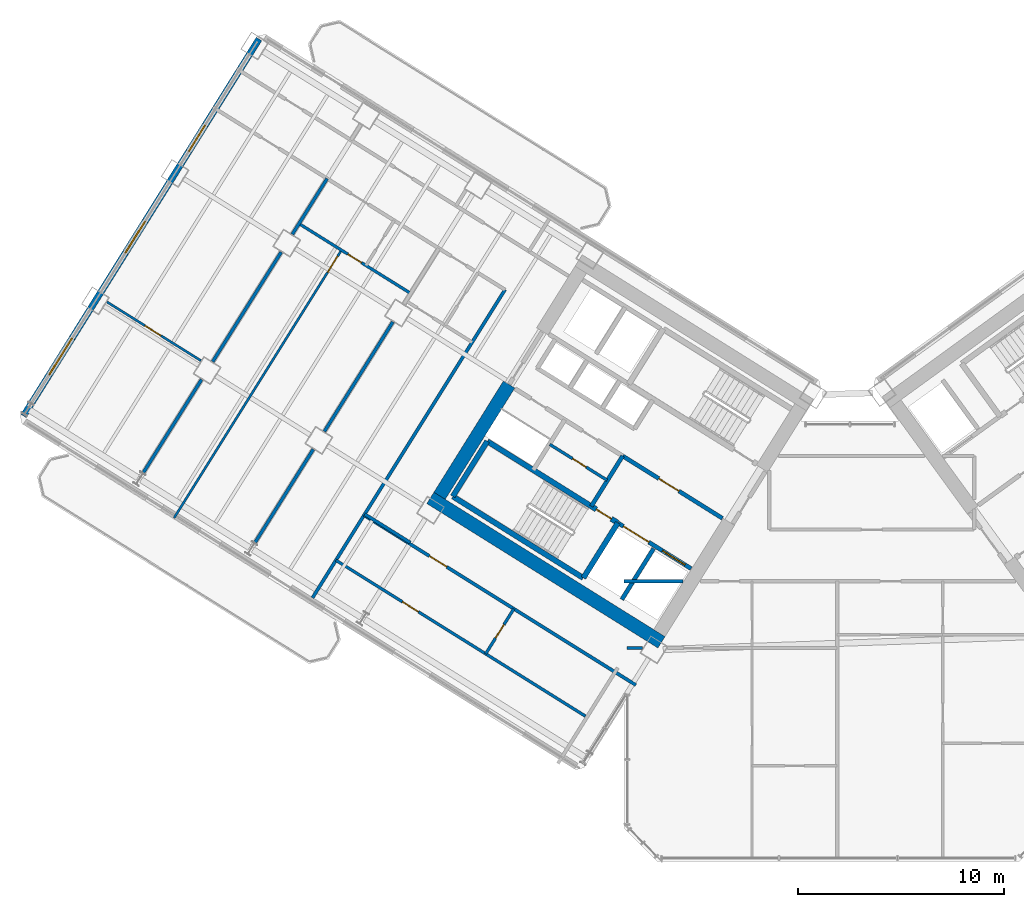
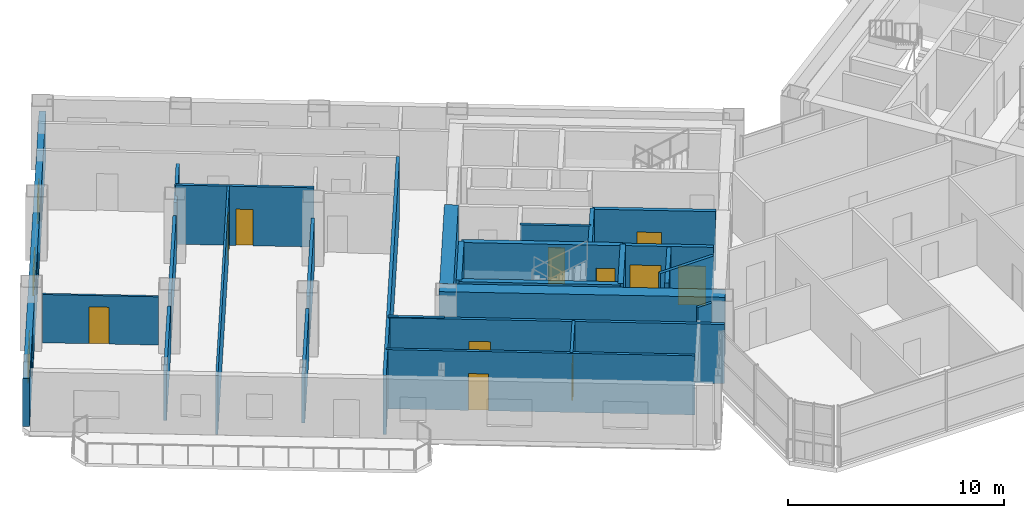
# One storey, part 15 of 28: 27 walls, 11 doors, 3 windows, 14 openings.
"""IFC4 building model written with IfcOpenShell, lengths in metres."""

from ifc_helpers import new_model, si_unit, direction, frame, frame_2d, origin, place, context, subcontext, project, spatial, rectangle, extrude, source, transform, mapped, material, layer, layer_set, type_object, element, fill, save


model = new_model("IFC4")

# Units and contexts
model_context = context("Model", 3, precision=1e-05, world=origin(), true_north=direction((0.0, 1.0)))
body_context = subcontext(model_context, "Body", "Model", "MODEL_VIEW")
ifc_project = project(units=[si_unit("LENGTHUNIT", "METRE"), si_unit("AREAUNIT", "SQUARE_METRE"), si_unit("VOLUMEUNIT", "CUBIC_METRE"), si_unit("PLANEANGLEUNIT", "RADIAN"), si_unit("MASSUNIT", "GRAM", prefix="KILO")], contexts=[model_context])

# Site, building, storey
site_placement = place(None, origin())
site = spatial("IfcSite", under=ifc_project, at=site_placement, CompositionType="ELEMENT")
building_placement = place(site_placement, origin())
building = spatial("IfcBuilding", under=site, at=building_placement, Name="Tlacorven Tower", CompositionType="ELEMENT")
storey_placement = place(building_placement, frame((0.0, 0.0, 42.0)))
storey = spatial("IfcBuildingStorey", under=building, at=storey_placement, Name="L10", CompositionType="ELEMENT", Elevation=42.0)

# Walls
ifc_material_1 = material(Name="Concrete C60/75", Category="concrete")
ifc_layer_1 = layer(ifc_material_1, 0.64990234375)
ifc_layer_set_1 = layer_set([ifc_layer_1], Name="Concrete C60/75")
wall_type_1 = type_object("IfcWallType", Name="WL-COR-650", PredefinedType="SHEAR", material=ifc_layer_set_1)
wall_1_placement = place(storey_placement, frame((33.40869140625, 12.449951171875, 0.0), z_axis=(0.0, 0.0, 1.0), x_axis=(-0.848051132073, 0.529914405721, 0.0)))
element("IfcWall", 1, at=wall_1_placement, inside=storey, type_object=wall_type_1, Name="L10 W core shear wall S2", PredefinedType="SHEAR", context=body_context, shape_type="SweptSolid", body=[
    extrude(rectangle(XDim=13.239990234375, YDim=0.64990234375, at=frame_2d((6.6201171875, 0.0))), origin(), (0.0, 0.0, 1.0), 3.35009765625),
])
wall_2_placement = place(storey_placement, frame((26.006591796875, 24.975830078125, 0.0), z_axis=(0.0, 0.0, 1.0), x_axis=(-0.529916319127, -0.848049936456, 0.0)))
element("IfcWall", 2, at=wall_2_placement, inside=storey, type_object=wall_type_1, Name="L10 W core end wall E2.2", PredefinedType="SHEAR", context=body_context, shape_type="SweptSolid", body=[
    extrude(rectangle(XDim=6.375, YDim=0.64990234375, at=frame_2d((3.1875, 0.0))), origin(), (0.0, 0.0, 1.0), 3.35009765625),
])
ifc_material_2 = material(Name="Gypsum plasterboard acoustic partition", Category="gypsum")
ifc_layer_2 = layer(ifc_material_2, 0.159912109375)
ifc_layer_set_2 = layer_set([ifc_layer_2], Name="Gypsum plasterboard acoustic partition")
wall_type_2 = type_object("IfcWallType", Name="WL-DEM-160", PredefinedType="PARTITIONING", material=ifc_layer_set_2)
wall_3_placement = place(storey_placement, frame((21.20556640625, 17.29248046875, 0.0), z_axis=(0.0, 0.0, 1.0), x_axis=(-0.848050851465, 0.529914854792, 0.0)))
element("IfcWall", 3, at=wall_3_placement, inside=storey, type_object=wall_type_2, Name="L10 partition 51", PredefinedType="PARTITIONING", context=body_context, shape_type="SweptSolid", body=[
    extrude(rectangle(XDim=2.60986328125, YDim=0.159912109375, at=frame_2d((1.304931640625, 0.0))), origin(), (0.0, 0.0, 1.0), 3.340087890625),
])
wall_4_placement = place(storey_placement, frame((25.806884765625, 29.58154296875, 0.0), z_axis=(0.0, 0.0, 1.0), x_axis=(-0.529918119251, -0.84804881162, 0.0)))
element("IfcWall", 4, at=wall_4_placement, inside=storey, type_object=wall_type_2, Name="L10 partition 53", PredefinedType="PARTITIONING", context=body_context, shape_type="SweptSolid", body=[
    extrude(rectangle(XDim=17.64990234375, YDim=0.159912109375, at=frame_2d((8.824951171875, 0.0))), origin(), (0.0, 0.0, 1.0), 3.340087890625),
])
wall_5_placement = place(storey_placement, frame((20.360595703125, 28.017822265625, 0.0), z_axis=(0.0, 0.0, 1.0), x_axis=(-0.529915015264, -0.848050751193, 0.0)))
element("IfcWall", 5, at=wall_5_placement, inside=storey, type_object=wall_type_2, Name="L10 WN Demising Wall 1", PredefinedType="PARTITIONING", context=body_context, shape_type="SweptSolid", body=[
    extrude(rectangle(XDim=6.27587890625, YDim=0.159912109375, at=frame_2d((3.137939453125, 0.0))), origin(), (0.0, 0.0, 1.0), 2.72509765625),
])
wall_6_placement = place(storey_placement, frame((16.4921875, 21.8271484375, 0.0), z_axis=(0.0, 0.0, 1.0), x_axis=(-0.529904608059, -0.848057254175, 0.0)))
element("IfcWall", 6, at=wall_6_placement, inside=storey, type_object=wall_type_2, Name="L10 WN Demising Wall 1", PredefinedType="PARTITIONING", context=body_context, shape_type="SweptSolid", body=[
    extrude(rectangle(XDim=5.350830078125, YDim=0.159912109375, at=frame_2d((2.67529296875, 0.0))), origin(), (0.0, 0.0, 1.0), 2.72509765625),
])
wall_7_placement = place(storey_placement, frame((17.165283203125, 34.9814453125, 0.0), z_axis=(0.0, 0.0, 1.0), x_axis=(-0.529930102756, -0.848041323399, 0.0)))
element("IfcWall", 7, at=wall_7_placement, inside=storey, type_object=wall_type_2, Name="L10 WN Demising Wall 2", PredefinedType="PARTITIONING", context=body_context, shape_type="SweptSolid", body=[
    extrude(rectangle(XDim=3.18798828125, YDim=0.159912109375, at=frame_2d((1.593994140625, 0.0))), origin(), (0.0, 0.0, 1.0), 2.72509765625),
])
wall_8_placement = place(storey_placement, frame((14.93310546875, 31.409423828125, 0.0), z_axis=(0.0, 0.0, 1.0), x_axis=(-0.529897533635, -0.848061674554, 0.0)))
element("IfcWall", 8, at=wall_8_placement, inside=storey, type_object=wall_type_2, Name="L10 WN Demising Wall 2", PredefinedType="PARTITIONING", context=body_context, shape_type="SweptSolid", body=[
    extrude(rectangle(XDim=6.276123046875, YDim=0.159912109375, at=frame_2d((3.13818359375, 0.0))), origin(), (0.0, 0.0, 1.0), 2.72509765625),
])
wall_9_placement = place(storey_placement, frame((11.064697265625, 25.218505859375, 0.0), z_axis=(0.0, 0.0, 1.0), x_axis=(-0.529904608059, -0.848057254175, 0.0)))
element("IfcWall", 9, at=wall_9_placement, inside=storey, type_object=wall_type_2, Name="L10 WN Demising Wall 2", PredefinedType="PARTITIONING", context=body_context, shape_type="SweptSolid", body=[
    extrude(rectangle(XDim=5.350830078125, YDim=0.159912109375, at=frame_2d((2.67529296875, 0.0))), origin(), (0.0, 0.0, 1.0), 2.72509765625),
])

# Wall, opening, door
wall_10_placement = place(storey_placement, frame((32.164306640625, 10.373779296875, 0.0), z_axis=(0.0, 0.0, 1.0), x_axis=(-0.848044107957, 0.529925646633, 0.0)))
wall_10 = element("IfcWall", 10, at=wall_10_placement, inside=storey, type_object=wall_type_2, Name="L10 partition 66", PredefinedType="PARTITIONING", context=body_context, shape_type="SweptSolid", body=[
    extrude(rectangle(XDim=15.570068359375, YDim=0.159912109375, at=frame_2d((7.78515625, 0.0))), origin(), (0.0, 0.0, 1.0), 3.340087890625),
])
opening_1_placement = place(wall_10_placement, frame((10.830078125, 0.0, 0.0)))
opening_1 = element("IfcOpeningElement", 11, at=opening_1_placement, cuts=wall_10, Name="Opening D11", PredefinedType="OPENING", context=body_context, shape_type="SweptSolid", body=[
    extrude(rectangle(XDim=1.0, YDim=2.10009765625, at=frame_2d((0.5, 1.050048828125))), frame((0.0, 0.08984375, 0.0), z_axis=(0.0, -1.0, 0.0), x_axis=(1.0, 0.0, 0.0)), (0.0, 0.0, 1.0), 0.179931640625),
])
ifc_material_3 = material(Name="Fire-rated steel door assembly", Category="steel")
door_type_1 = type_object("IfcDoorType", Name="DR-FLT-FD60-1000", OperationType="NOTDEFINED", PredefinedType="DOOR", material=ifc_material_3)
shared_shape_1 = source(origin(), body_context, "Body", "SweptSolid", [
    extrude(rectangle(XDim=1.0, YDim=2.10009765625, at=frame_2d((0.5, 1.050048828125))), frame((0.0, 0.02490234375, 0.0), z_axis=(0.0, -1.0, 0.0), x_axis=(1.0, 0.0, 0.0)), (0.0, 0.0, 1.0), 0.050048828125),
])
door_1_placement = place(opening_1_placement, origin())
door_1 = element("IfcDoor", 12, at=door_1_placement, inside=storey, type_object=door_type_1, Name="L10 door 035", OperationType="SINGLE_SWING_LEFT", OverallHeight=2.10009765625, OverallWidth=1.0, PredefinedType="DOOR", context=body_context, shape_type="MappedRepresentation", body=[
    mapped(shared_shape_1, transform((0.0, 0.0, 0.0), scale=1.0)),
])
fill(opening_1, door_1)

# Wall
wall_11_placement = place(storey_placement, frame((31.60009765625, 15.419921875, 0.0), z_axis=(0.0, 0.0, 1.0), x_axis=(1.0, 0.0, 0.0)))
element("IfcWall", 13, at=wall_11_placement, inside=storey, type_object=wall_type_2, Name="L10 Knuckle Corridor South Wall", PredefinedType="PARTITIONING", context=body_context, shape_type="SweptSolid", body=[
    extrude(rectangle(XDim=2.8662109375, YDim=0.159912109375, at=frame_2d((1.43310546875, 0.0))), origin(), (0.0, 0.0, 1.0), 3.340087890625),
])

# Wall, openings, windows
ifc_material_4 = material(Name="Precast concrete C45/55", Category="concrete")
ifc_layer_3 = layer(ifc_material_4, 0.320068359375)
ifc_layer_set_3 = layer_set([ifc_layer_3], Name="Precast concrete C45/55")
wall_type_3 = type_object("IfcWallType", Name="WL-EXT-320", PredefinedType="STANDARD", material=ifc_layer_set_3)
wall_12_placement = place(storey_placement, frame((2.41455078125, 23.452392578125, 0.0), z_axis=(0.0, 0.0, 1.0), x_axis=(0.52991049553, 0.848053575387, 0.0)))
wall_12 = element("IfcWall", 14, at=wall_12_placement, inside=storey, type_object=wall_type_3, Name="L10 Masonry-Frame Recessed Facade Wall 2", PredefinedType="STANDARD", context=body_context, shape_type="SweptSolid", body=[
    extrude(rectangle(XDim=21.58740234375, YDim=0.320068359375, at=frame_2d((10.793701171875, 0.0))), origin(), (0.0, 0.0, 1.0), 2.72509765625),
])
opening_2_placement = place(wall_12_placement, frame((2.356201171875, 0.0, 0.800048828125)))
opening_2 = element("IfcOpeningElement", 15, at=opening_2_placement, cuts=wall_12, Name="Opening WN04", PredefinedType="OPENING", context=body_context, shape_type="SweptSolid", body=[
    extrude(rectangle(XDim=2.10009765625, YDim=1.550048828125, at=frame_2d((1.050048828125, 0.77490234375))), frame((0.0, 0.169921875, 0.0), z_axis=(0.0, -1.0, 0.0), x_axis=(1.0, 0.0, 0.0)), (0.0, 0.0, 1.0), 0.340087890625),
])
opening_3_placement = place(wall_12_placement, frame((9.34375, 0.0, 0.85009765625)))
opening_3 = element("IfcOpeningElement", 16, at=opening_3_placement, cuts=wall_12, Name="Opening WN01", PredefinedType="OPENING", context=body_context, shape_type="SweptSolid", body=[
    extrude(rectangle(XDim=1.800048828125, YDim=1.5, at=frame_2d((0.89990234375, 0.75))), frame((0.0, 0.169921875, 0.0), z_axis=(0.0, -1.0, 0.0), x_axis=(1.0, 0.0, 0.0)), (0.0, 0.0, 1.0), 0.340087890625),
])
opening_4_placement = place(wall_12_placement, frame((15.15380859375, 0.0, 0.85009765625)))
opening_4 = element("IfcOpeningElement", 17, at=opening_4_placement, cuts=wall_12, Name="Opening WN02", PredefinedType="OPENING", context=body_context, shape_type="SweptSolid", body=[
    extrude(rectangle(XDim=1.5, YDim=1.5, at=frame_2d((0.75, 0.75))), frame((0.0, 0.169921875, 0.0), z_axis=(0.0, -1.0, 0.0), x_axis=(1.0, 0.0, 0.0)), (0.0, 0.0, 1.0), 0.340087890625),
])
ifc_material_5 = material(Name="Dark solar low-E double glazing in anodised aluminium frame", Category="aluminium")
window_type_1 = type_object("IfcWindowType", Name="WN-APT-2100X1750", PartitioningType="SINGLE_PANEL", PredefinedType="WINDOW", material=ifc_material_5)
shared_shape_2 = source(origin(), body_context, "Body", "SweptSolid", [
    extrude(rectangle(XDim=2.10009765625, YDim=1.550048828125, at=frame_2d((1.050048828125, 0.77490234375))), frame((0.0, 0.030029296875, 0.0), z_axis=(0.0, -1.0, 0.0), x_axis=(1.0, 0.0, 0.0)), (0.0, 0.0, 1.0), 0.06005859375),
])
window_1_placement = place(opening_2_placement, origin())
window_1 = element("IfcWindow", 18, at=window_1_placement, inside=storey, type_object=window_type_1, Name="L10 Recessed Masonry-Frame Window L10-02.1", OverallHeight=1.550048828125, OverallWidth=2.10009765625, PartitioningType="SINGLE_PANEL", PredefinedType="WINDOW", context=body_context, shape_type="MappedRepresentation", body=[
    mapped(shared_shape_2, transform((0.0, 0.0, 0.0), scale=1.0)),
])
fill(opening_2, window_1)
window_type_2 = type_object("IfcWindowType", Name="WN-APT-1800X1650", PartitioningType="SINGLE_PANEL", PredefinedType="WINDOW", material=ifc_material_5)
shared_shape_3 = source(origin(), body_context, "Body", "SweptSolid", [
    extrude(rectangle(XDim=1.800048828125, YDim=1.5, at=frame_2d((0.89990234375, 0.75))), frame((0.0, 0.030029296875, 0.0), z_axis=(0.0, -1.0, 0.0), x_axis=(1.0, 0.0, 0.0)), (0.0, 0.0, 1.0), 0.06005859375),
])
window_2_placement = place(opening_3_placement, origin())
window_2 = element("IfcWindow", 19, at=window_2_placement, inside=storey, type_object=window_type_2, Name="L10 Recessed Masonry-Frame Window L10-02.2", OverallHeight=1.5, OverallWidth=1.800048828125, PartitioningType="SINGLE_PANEL", PredefinedType="WINDOW", context=body_context, shape_type="MappedRepresentation", body=[
    mapped(shared_shape_3, transform((0.0, 0.0, 0.0), scale=1.0)),
])
fill(opening_3, window_2)
window_type_3 = type_object("IfcWindowType", Name="WN-APT-1500X1650", PartitioningType="SINGLE_PANEL", PredefinedType="WINDOW", material=ifc_material_5)
shared_shape_4 = source(origin(), body_context, "Body", "SweptSolid", [
    extrude(rectangle(XDim=1.5, YDim=1.5, at=frame_2d((0.75, 0.75))), frame((0.0, 0.030029296875, 0.0), z_axis=(0.0, -1.0, 0.0), x_axis=(1.0, 0.0, 0.0)), (0.0, 0.0, 1.0), 0.06005859375),
])
window_3_placement = place(opening_4_placement, origin())
window_3 = element("IfcWindow", 20, at=window_3_placement, inside=storey, type_object=window_type_3, Name="L10 Recessed Masonry-Frame Window L10-02.3", OverallHeight=1.5, OverallWidth=1.5, PartitioningType="SINGLE_PANEL", PredefinedType="WINDOW", context=body_context, shape_type="MappedRepresentation", body=[
    mapped(shared_shape_4, transform((0.0, 0.0, 0.0), scale=1.0)),
])
fill(opening_4, window_3)

# Wall, opening, door
ifc_material_6 = material(Name="Gypsum plasterboard partition", Category="gypsum")
ifc_layer_4 = layer(ifc_material_6, 0.110107421875)
ifc_layer_set_4 = layer_set([ifc_layer_4], Name="Gypsum plasterboard partition")
wall_type_4 = type_object("IfcWallType", Name="WL-INT-110", PredefinedType="PARTITIONING", material=ifc_layer_set_4)
wall_13_placement = place(storey_placement, frame((17.860595703125, 31.504638671875, 0.0), z_axis=(0.0, 0.0, 1.0), x_axis=(-0.529928839727, -0.848042112649, 0.0)))
wall_13 = element("IfcWall", 21, at=wall_13_placement, inside=storey, type_object=wall_type_4, Name="L10 partition 62", PredefinedType="PARTITIONING", context=body_context, shape_type="SweptSolid", body=[
    extrude(rectangle(XDim=15.340087890625, YDim=0.110107421875, at=frame_2d((7.669921875, 0.0))), origin(), (0.0, 0.0, 1.0), 3.340087890625),
])
opening_5_placement = place(wall_13_placement, frame((0.35009765625, 0.0, 0.0)))
opening_5 = element("IfcOpeningElement", 22, at=opening_5_placement, cuts=wall_13, Name="Opening D12", PredefinedType="OPENING", context=body_context, shape_type="SweptSolid", body=[
    extrude(rectangle(XDim=0.919921875, YDim=2.080078125, at=frame_2d((0.4599609375, 1.0400390625))), frame((0.0, 0.06494140625, 0.0), z_axis=(0.0, -1.0, 0.0), x_axis=(1.0, 0.0, 0.0)), (0.0, 0.0, 1.0), 0.130126953125),
])
ifc_material_7 = material(Name="Powder-coated aluminium and timber door", Category="wood")
door_type_2 = type_object("IfcDoorType", Name="DR-INT-ROOM-0920", OperationType="NOTDEFINED", PredefinedType="DOOR", material=ifc_material_7)
shared_shape_5 = source(origin(), body_context, "Body", "SweptSolid", [
    extrude(rectangle(XDim=0.919921875, YDim=2.080078125, at=frame_2d((0.4599609375, 1.0400390625))), frame((0.0, 0.02490234375, 0.0), z_axis=(0.0, -1.0, 0.0), x_axis=(1.0, 0.0, 0.0)), (0.0, 0.0, 1.0), 0.050048828125),
])
door_2_placement = place(opening_5_placement, origin())
door_2 = element("IfcDoor", 23, at=door_2_placement, inside=storey, type_object=door_type_2, Name="L10 door 026", OperationType="SINGLE_SWING_RIGHT", OverallHeight=2.080078125, OverallWidth=0.919921875, PredefinedType="DOOR", context=body_context, shape_type="MappedRepresentation", body=[
    mapped(shared_shape_5, transform((0.0, 0.0, 0.0), scale=1.0)),
])
fill(opening_5, door_2)

wall_14_placement = place(storey_placement, frame((11.033203125, 26.134521484375, 0.0), z_axis=(0.0, 0.0, 1.0), x_axis=(-0.848044224181, 0.529925460639, 0.0)))
wall_14 = element("IfcWall", 24, at=wall_14_placement, inside=storey, type_object=wall_type_4, Name="L10 partition 63", PredefinedType="PARTITIONING", context=body_context, shape_type="SweptSolid", body=[
    extrude(rectangle(XDim=5.3759765625, YDim=0.110107421875, at=frame_2d((2.68798828125, 0.0))), origin(), (0.0, 0.0, 1.0), 2.72509765625),
])
opening_6_placement = place(wall_14_placement, frame((2.2880859375, 0.0, 0.0)))
opening_6 = element("IfcOpeningElement", 25, at=opening_6_placement, cuts=wall_14, Name="Opening D12", PredefinedType="OPENING", context=body_context, shape_type="SweptSolid", body=[
    extrude(rectangle(XDim=0.919921875, YDim=2.080078125, at=frame_2d((0.4599609375, 1.0400390625))), frame((0.0, 0.06494140625, 0.0), z_axis=(0.0, -1.0, 0.0), x_axis=(1.0, 0.0, 0.0)), (0.0, 0.0, 1.0), 0.130126953125),
])
door_3_placement = place(opening_6_placement, origin())
door_3 = element("IfcDoor", 26, at=door_3_placement, inside=storey, type_object=door_type_2, Name="L10 door 031", OperationType="SINGLE_SWING_LEFT", OverallHeight=2.080078125, OverallWidth=0.919921875, PredefinedType="DOOR", context=body_context, shape_type="MappedRepresentation", body=[
    mapped(shared_shape_5, transform((0.0, 0.0, 0.0), scale=1.0)),
])
fill(opening_6, door_3)

ifc_material_8 = material(Name="Moisture-resistant gypsum plumbing wall", Category="gypsum")
ifc_layer_5 = layer(ifc_material_8, 0.139892578125)
ifc_layer_set_5 = layer_set([ifc_layer_5], Name="Moisture-resistant gypsum plumbing wall")
wall_type_5 = type_object("IfcWallType", Name="WL-PLM-140", PredefinedType="PLUMBINGWALL", material=ifc_layer_set_5)
wall_15_placement = place(storey_placement, frame((30.766357421875, 20.3271484375, 0.0), z_axis=(0.0, 0.0, 1.0), x_axis=(-0.848052663127, 0.529911955482, 0.0)))
wall_15 = element("IfcWall", 27, at=wall_15_placement, inside=storey, type_object=wall_type_5, Name="L10 partition 23", PredefinedType="PLUMBINGWALL", context=body_context, shape_type="SweptSolid", body=[
    extrude(rectangle(XDim=3.27978515625, YDim=0.139892578125, at=frame_2d((1.639892578125, 0.0))), origin(), (0.0, 0.0, 1.0), 3.340087890625),
])
opening_7_placement = place(wall_15_placement, frame((1.199951171875, 0.0, 0.0)))
opening_7 = element("IfcOpeningElement", 28, at=opening_7_placement, cuts=wall_15, Name="Opening D22", PredefinedType="OPENING", context=body_context, shape_type="SweptSolid", body=[
    extrude(rectangle(XDim=0.780029296875, YDim=2.050048828125, at=frame_2d((0.39013671875, 1.02490234375))), frame((0.0, 0.080078125, 0.0), z_axis=(0.0, -1.0, 0.0), x_axis=(1.0, 0.0, 0.0)), (0.0, 0.0, 1.0), 0.159912109375),
])
door_type_3 = type_object("IfcDoorType", Name="DR-INT-WET-0780", OperationType="NOTDEFINED", PredefinedType="DOOR", material=ifc_material_7)
shared_shape_6 = source(origin(), body_context, "Body", "SweptSolid", [
    extrude(rectangle(XDim=0.780029296875, YDim=2.050048828125, at=frame_2d((0.39013671875, 1.02490234375))), frame((0.0, 0.02490234375, 0.0), z_axis=(0.0, -1.0, 0.0), x_axis=(1.0, 0.0, 0.0)), (0.0, 0.0, 1.0), 0.050048828125),
])
door_4_placement = place(opening_7_placement, origin())
door_4 = element("IfcDoor", 29, at=door_4_placement, inside=storey, type_object=door_type_3, Name="L10 door 008", OperationType="SINGLE_SWING_LEFT", OverallHeight=2.050048828125, OverallWidth=0.780029296875, PredefinedType="DOOR", context=body_context, shape_type="MappedRepresentation", body=[
    mapped(shared_shape_6, transform((0.0, 0.0, 0.0), scale=1.0)),
])
fill(opening_7, door_4)

wall_16_placement = place(storey_placement, frame((21.2255859375, 29.40185546875, 0.0), z_axis=(0.0, 0.0, 1.0), x_axis=(-0.848039019877, 0.529933789039, 0.0)))
wall_16 = element("IfcWall", 30, at=wall_16_placement, inside=storey, type_object=wall_type_5, Name="L10 partition 60", PredefinedType="PLUMBINGWALL", context=body_context, shape_type="SweptSolid", body=[
    extrude(rectangle(XDim=6.400146484375, YDim=0.139892578125, at=frame_2d((3.2001953125, 0.0))), origin(), (0.0, 0.0, 1.0), 3.340087890625),
])
opening_8_placement = place(wall_16_placement, frame((2.823974609375, 0.0, 0.0)))
opening_8 = element("IfcOpeningElement", 31, at=opening_8_placement, cuts=wall_16, Name="Opening D22", PredefinedType="OPENING", context=body_context, shape_type="SweptSolid", body=[
    extrude(rectangle(XDim=0.780029296875, YDim=2.050048828125, at=frame_2d((0.39013671875, 1.02490234375))), frame((0.0, 0.080078125, 0.0), z_axis=(0.0, -1.0, 0.0), x_axis=(1.0, 0.0, 0.0)), (0.0, 0.0, 1.0), 0.159912109375),
])
door_5_placement = place(opening_8_placement, origin())
door_5 = element("IfcDoor", 32, at=door_5_placement, inside=storey, type_object=door_type_3, Name="L10 door 028", OperationType="SINGLE_SWING_RIGHT", OverallHeight=2.050048828125, OverallWidth=0.780029296875, PredefinedType="DOOR", context=body_context, shape_type="MappedRepresentation", body=[
    mapped(shared_shape_6, transform((0.0, 0.0, 0.0), scale=1.0)),
])
fill(opening_8, door_5)

wall_17_placement = place(storey_placement, frame((29.72021484375, 8.85888671875, 0.0), z_axis=(0.0, 0.0, 1.0), x_axis=(-0.848049134363, 0.529917602752, 0.0)))
wall_17 = element("IfcWall", 33, at=wall_17_placement, inside=storey, type_object=wall_type_5, Name="L10 partition 68", PredefinedType="PLUMBINGWALL", context=body_context, shape_type="SweptSolid", body=[
    extrude(rectangle(XDim=14.300048828125, YDim=0.139892578125, at=frame_2d((7.14990234375, 0.0))), origin(), (0.0, 0.0, 1.0), 3.340087890625),
])
opening_9_placement = place(wall_17_placement, frame((9.570068359375, 0.0, 0.0)))
opening_9 = element("IfcOpeningElement", 34, at=opening_9_placement, cuts=wall_17, Name="Opening D12", PredefinedType="OPENING", context=body_context, shape_type="SweptSolid", body=[
    extrude(rectangle(XDim=0.919921875, YDim=2.080078125, at=frame_2d((0.4599609375, 1.0400390625))), frame((0.0, 0.080078125, 0.0), z_axis=(0.0, -1.0, 0.0), x_axis=(1.0, 0.0, 0.0)), (0.0, 0.0, 1.0), 0.159912109375),
])
door_6_placement = place(opening_9_placement, origin())
door_6 = element("IfcDoor", 35, at=door_6_placement, inside=storey, type_object=door_type_2, Name="L10 door 036", OperationType="SINGLE_SWING_RIGHT", OverallHeight=2.080078125, OverallWidth=0.919921875, PredefinedType="DOOR", context=body_context, shape_type="MappedRepresentation", body=[
    mapped(shared_shape_5, transform((0.0, 0.0, 0.0), scale=1.0)),
])
fill(opening_9, door_6)

wall_18_placement = place(storey_placement, frame((26.236572265625, 14.077880859375, 0.0), z_axis=(0.0, 0.0, 1.0), x_axis=(-0.52995640672, -0.848024885824, 0.0)))
wall_18 = element("IfcWall", 36, at=wall_18_placement, inside=storey, type_object=wall_type_5, Name="L10 partition 69", PredefinedType="PLUMBINGWALL", context=body_context, shape_type="SweptSolid", body=[
    extrude(rectangle(XDim=2.579833984375, YDim=0.139892578125, at=frame_2d((1.2900390625, 0.0))), origin(), (0.0, 0.0, 1.0), 3.340087890625),
])
opening_10_placement = place(wall_18_placement, frame((0.89990234375, 0.0, 0.0)))
opening_10 = element("IfcOpeningElement", 37, at=opening_10_placement, cuts=wall_18, Name="Opening D22", PredefinedType="OPENING", context=body_context, shape_type="SweptSolid", body=[
    extrude(rectangle(XDim=0.780029296875, YDim=2.050048828125, at=frame_2d((0.39013671875, 1.02490234375))), frame((0.0, 0.080078125, 0.0), z_axis=(0.0, -1.0, 0.0), x_axis=(1.0, 0.0, 0.0)), (0.0, 0.0, 1.0), 0.159912109375),
])
door_7_placement = place(opening_10_placement, origin())
door_7 = element("IfcDoor", 38, at=door_7_placement, inside=storey, type_object=door_type_3, Name="L10 door 037", OperationType="SINGLE_SWING_LEFT", OverallHeight=2.050048828125, OverallWidth=0.780029296875, PredefinedType="DOOR", context=body_context, shape_type="MappedRepresentation", body=[
    mapped(shared_shape_6, transform((0.0, 0.0, 0.0), scale=1.0)),
])
fill(opening_10, door_7)

# Wall
wall_19_placement = place(storey_placement, frame((31.739990234375, 12.169921875, 0.0), z_axis=(0.0, 0.0, 1.0), x_axis=(1.0, 0.0, 0.0)))
element("IfcWall", 39, at=wall_19_placement, inside=storey, type_object=wall_type_5, Name="L10 partition 79", PredefinedType="PLUMBINGWALL", context=body_context, shape_type="SweptSolid", body=[
    extrude(rectangle(XDim=0.75439453125, YDim=0.139892578125, at=frame_2d((0.377197265625, 0.0))), origin(), (0.0, 0.0, 1.0), 3.340087890625),
])

# Wall, openings, doors
ifc_material_9 = material(Name="Concrete C40/50", Category="concrete")
ifc_layer_6 = layer(ifc_material_9, 0.199951171875)
ifc_layer_set_6 = layer_set([ifc_layer_6], Name="Concrete C40/50")
wall_type_6 = type_object("IfcWallType", Name="WL-SHF-200", PredefinedType="STANDARD", material=ifc_layer_set_6)
wall_20_placement = place(storey_placement, frame((34.84814453125, 16.03125, 0.0), z_axis=(0.0, 0.0, 1.0), x_axis=(-0.848044042236, 0.529925751807, 0.0)))
wall_20 = element("IfcWall", 40, at=wall_20_placement, inside=storey, type_object=wall_type_6, Name="L10 Core W Firefighting Lift Shaft Front Wall", PredefinedType="STANDARD", context=body_context, shape_type="SweptSolid", body=[
    extrude(rectangle(XDim=4.197998046875, YDim=0.199951171875, at=frame_2d((2.09912109375, 0.0))), origin(), (0.0, 0.0, 1.0), 3.340087890625),
])
opening_11_placement = place(wall_20_placement, frame((0.347900390625, 0.0, 0.0)))
opening_11 = element("IfcOpeningElement", 41, at=opening_11_placement, cuts=wall_20, Name="Opening LD03", PredefinedType="OPENING", context=body_context, shape_type="SweptSolid", body=[
    extrude(rectangle(XDim=1.300048828125, YDim=2.199951171875, at=frame_2d((0.64990234375, 1.10009765625))), frame((0.0, 0.10986328125, 0.0), z_axis=(0.0, -1.0, 0.0), x_axis=(1.0, 0.0, 0.0)), (0.0, 0.0, 1.0), 0.219970703125),
])
opening_12_placement = place(wall_20_placement, frame((2.423095703125, 0.0, 0.0)))
opening_12 = element("IfcOpeningElement", 42, at=opening_12_placement, cuts=wall_20, Name="Opening LD04", PredefinedType="OPENING", context=body_context, shape_type="SweptSolid", body=[
    extrude(rectangle(XDim=1.449951171875, YDim=2.25, at=frame_2d((0.72509765625, 1.125))), frame((0.0, 0.10986328125, 0.0), z_axis=(0.0, -1.0, 0.0), x_axis=(1.0, 0.0, 0.0)), (0.0, 0.0, 1.0), 0.219970703125),
])
door_type_4 = type_object("IfcDoorType", Name="DR-LFT-SLID-1300", OperationType="DOUBLE_DOOR_SLIDING", PredefinedType="DOOR", material=ifc_material_3)
shared_shape_7 = source(origin(), body_context, "Body", "SweptSolid", [
    extrude(rectangle(XDim=1.300048828125, YDim=2.199951171875, at=frame_2d((0.64990234375, 1.10009765625))), frame((0.0, 0.02490234375, 0.0), z_axis=(0.0, -1.0, 0.0), x_axis=(1.0, 0.0, 0.0)), (0.0, 0.0, 1.0), 0.050048828125),
])
door_8_placement = place(opening_11_placement, origin())
door_8 = element("IfcDoor", 43, at=door_8_placement, inside=storey, type_object=door_type_4, Name="L10 Lift FFL-W1 Sliding Landing Door", OperationType="DOUBLE_DOOR_SLIDING", OverallHeight=2.199951171875, OverallWidth=1.300048828125, PredefinedType="DOOR", context=body_context, shape_type="MappedRepresentation", body=[
    mapped(shared_shape_7, transform((0.0, 0.0, 0.0), scale=1.0)),
])
fill(opening_11, door_8)
door_type_5 = type_object("IfcDoorType", Name="DR-LFT-SLID-1450", OperationType="DOUBLE_DOOR_SLIDING", PredefinedType="DOOR", material=ifc_material_3)
shared_shape_8 = source(origin(), body_context, "Body", "SweptSolid", [
    extrude(rectangle(XDim=1.449951171875, YDim=2.25, at=frame_2d((0.72509765625, 1.125))), frame((0.0, 0.02490234375, 0.0), z_axis=(0.0, -1.0, 0.0), x_axis=(1.0, 0.0, 0.0)), (0.0, 0.0, 1.0), 0.050048828125),
])
door_9_placement = place(opening_12_placement, origin())
door_9 = element("IfcDoor", 44, at=door_9_placement, inside=storey, type_object=door_type_5, Name="L10 Lift SVL-W1 Sliding Landing Door", OperationType="DOUBLE_DOOR_SLIDING", OverallHeight=2.25, OverallWidth=1.449951171875, PredefinedType="DOOR", context=body_context, shape_type="MappedRepresentation", body=[
    mapped(shared_shape_8, transform((0.0, 0.0, 0.0), scale=1.0)),
])
fill(opening_12, door_9)

# Wall, opening, door
wall_21_placement = place(storey_placement, frame((36.374267578125, 18.4736328125, 0.0), z_axis=(0.0, 0.0, 1.0), x_axis=(-0.848051071577, 0.529914502535, 0.0)))
wall_21 = element("IfcWall", 45, at=wall_21_placement, inside=storey, type_object=wall_type_6, Name="L10 Core W Smoke Lobby Wall", PredefinedType="STANDARD", context=body_context, shape_type="SweptSolid", body=[
    extrude(rectangle(XDim=5.718017578125, YDim=0.199951171875, at=frame_2d((2.85888671875, 0.0))), origin(), (0.0, 0.0, 1.0), 3.340087890625),
])
opening_13_placement = place(wall_21_placement, frame((2.498046875, 0.0, 0.0)))
opening_13 = element("IfcOpeningElement", 46, at=opening_13_placement, cuts=wall_21, Name="Opening D09", PredefinedType="OPENING", context=body_context, shape_type="SweptSolid", body=[
    extrude(rectangle(XDim=1.14990234375, YDim=2.10009765625, at=frame_2d((0.574951171875, 1.050048828125))), frame((0.0, 0.10986328125, 0.0), z_axis=(0.0, -1.0, 0.0), x_axis=(1.0, 0.0, 0.0)), (0.0, 0.0, 1.0), 0.219970703125),
])
door_type_6 = type_object("IfcDoorType", Name="DR-FFL-FD60-1150", OperationType="NOTDEFINED", PredefinedType="DOOR", material=ifc_material_3)
shared_shape_9 = source(origin(), body_context, "Body", "SweptSolid", [
    extrude(rectangle(XDim=1.14990234375, YDim=2.10009765625, at=frame_2d((0.574951171875, 1.050048828125))), frame((0.0, 0.02490234375, 0.0), z_axis=(0.0, -1.0, 0.0), x_axis=(1.0, 0.0, 0.0)), (0.0, 0.0, 1.0), 0.050048828125),
])
door_10_placement = place(opening_13_placement, origin())
door_10 = element("IfcDoor", 47, at=door_10_placement, inside=storey, type_object=door_type_6, Name="L10 Firefighting Lobby W Fire Door", OperationType="SINGLE_SWING_RIGHT", OverallHeight=2.10009765625, OverallWidth=1.14990234375, PredefinedType="DOOR", context=body_context, shape_type="MappedRepresentation", body=[
    mapped(shared_shape_9, transform((0.0, 0.0, 0.0), scale=1.0)),
])
fill(opening_13, door_10)

# Walls
wall_22_placement = place(storey_placement, frame((33.02880859375, 17.003173828125, 0.0), z_axis=(0.0, 0.0, 1.0), x_axis=(-0.529916267533, -0.848049968695, 0.0)))
element("IfcWall", 48, at=wall_22_placement, inside=storey, type_object=wall_type_6, Name="L10 partition 14", PredefinedType="STANDARD", context=body_context, shape_type="SweptSolid", body=[
    extrude(rectangle(XDim=2.919921875, YDim=0.199951171875, at=frame_2d((1.4599609375, 0.0))), origin(), (0.0, 0.0, 1.0), 3.340087890625),
])
wall_23_placement = place(storey_placement, frame((31.525146484375, 21.503662109375, 0.0), z_axis=(0.0, 0.0, 1.0), x_axis=(-0.529907497854, -0.848055448493, 0.0)))
element("IfcWall", 49, at=wall_23_placement, inside=storey, type_object=wall_type_6, Name="L10 partition 20", PredefinedType="STANDARD", context=body_context, shape_type="SweptSolid", body=[
    extrude(rectangle(XDim=2.8798828125, YDim=0.199951171875, at=frame_2d((1.43994140625, 0.0))), origin(), (0.0, 0.0, 1.0), 3.340087890625),
])
ifc_material_10 = material(Name="Concrete C50/60", Category="concrete")
ifc_layer_7 = layer(ifc_material_10, 0.260009765625)
ifc_layer_set_7 = layer_set([ifc_layer_7], Name="Concrete C50/60")
wall_type_7 = type_object("IfcWallType", Name="WL-STW-260", PredefinedType="SHEAR", material=ifc_layer_set_7)
wall_24_placement = place(storey_placement, frame((29.60498046875, 15.581298828125, 0.0), z_axis=(0.0, 0.0, 1.0), x_axis=(-0.848036911448, 0.529937163087, 0.0)))
element("IfcWall", 50, at=wall_24_placement, inside=storey, type_object=wall_type_7, Name="L10 Stair W1 Far Shear Wall", PredefinedType="SHEAR", context=body_context, shape_type="SweptSolid", body=[
    extrude(rectangle(XDim=7.4599609375, YDim=0.260009765625, at=frame_2d((3.72998046875, 0.0))), origin(), (0.0, 0.0, 1.0), 3.35009765625),
])

# Wall, opening, door
wall_25_placement = place(storey_placement, frame((31.279541015625, 18.26123046875, 0.0), z_axis=(0.0, 0.0, 1.0), x_axis=(-0.848051618787, 0.529913626805, 0.0)))
wall_25 = element("IfcWall", 51, at=wall_25_placement, inside=storey, type_object=wall_type_7, Name="L10 Stair W1 Lobby Shear Wall", PredefinedType="SHEAR", context=body_context, shape_type="SweptSolid", body=[
    extrude(rectangle(XDim=7.4599609375, YDim=0.260009765625, at=frame_2d((3.72998046875, 0.0))), origin(), (0.0, 0.0, 1.0), 3.35009765625),
])
opening_14_placement = place(wall_25_placement, frame((0.360107421875, 0.0, 0.0)))
opening_14 = element("IfcOpeningElement", 52, at=opening_14_placement, cuts=wall_25, Name="Opening D19", PredefinedType="OPENING", context=body_context, shape_type="SweptSolid", body=[
    extrude(rectangle(XDim=0.860107421875, YDim=2.050048828125, at=frame_2d((0.43017578125, 1.02490234375))), frame((0.0, 0.14013671875, 0.0), z_axis=(0.0, -1.0, 0.0), x_axis=(1.0, 0.0, 0.0)), (0.0, 0.0, 1.0), 0.280029296875),
])
door_type_7 = type_object("IfcDoorType", Name="DR-RSR-FD60-0860", OperationType="NOTDEFINED", PredefinedType="DOOR", material=ifc_material_3)
shared_shape_10 = source(origin(), body_context, "Body", "SweptSolid", [
    extrude(rectangle(XDim=0.860107421875, YDim=2.050048828125, at=frame_2d((0.43017578125, 1.02490234375))), frame((0.0, 0.02490234375, 0.0), z_axis=(0.0, -1.0, 0.0), x_axis=(1.0, 0.0, 0.0)), (0.0, 0.0, 1.0), 0.050048828125),
])
door_11_placement = place(opening_14_placement, frame((0.860107421875, 0.0, 0.0), z_axis=(0.0, 0.0, 1.0), x_axis=(-1.0, 0.0, 0.0)))
door_11 = element("IfcDoor", 53, at=door_11_placement, inside=storey, type_object=door_type_7, Name="L10 Exit Stair W1 Fire Door", OperationType="SINGLE_SWING_LEFT", OverallHeight=2.050048828125, OverallWidth=0.860107421875, PredefinedType="DOOR", context=body_context, shape_type="MappedRepresentation", body=[
    mapped(shared_shape_10, transform((0.0, 0.0, 0.0), scale=1.0)),
])
fill(opening_14, door_11)

# Walls
wall_26_placement = place(storey_placement, frame((31.2880859375, 18.255859375, 0.0), z_axis=(0.0, 0.0, 1.0), x_axis=(-0.529943379326, -0.848033026897, 0.0)))
element("IfcWall", 54, at=wall_26_placement, inside=storey, type_object=wall_type_7, Name="L10 Stair W1 West Shear Wall", PredefinedType="SHEAR", context=body_context, shape_type="SweptSolid", body=[
    extrude(rectangle(XDim=3.159912109375, YDim=0.260009765625, at=frame_2d((1.580078125, 0.0))), origin(), (0.0, 0.0, 1.0), 3.35009765625),
])
wall_27_placement = place(storey_placement, frame((24.944580078125, 22.2197265625, 0.0), z_axis=(0.0, 0.0, 1.0), x_axis=(-0.529908658664, -0.84805472316, 0.0)))
element("IfcWall", 55, at=wall_27_placement, inside=storey, type_object=wall_type_7, Name="L10 Stair W1 East Shear Wall", PredefinedType="SHEAR", context=body_context, shape_type="SweptSolid", body=[
    extrude(rectangle(XDim=3.16015625, YDim=0.260009765625, at=frame_2d((1.580078125, 0.0))), origin(), (0.0, 0.0, 1.0), 3.35009765625),
])

save(model, "model.ifc")
